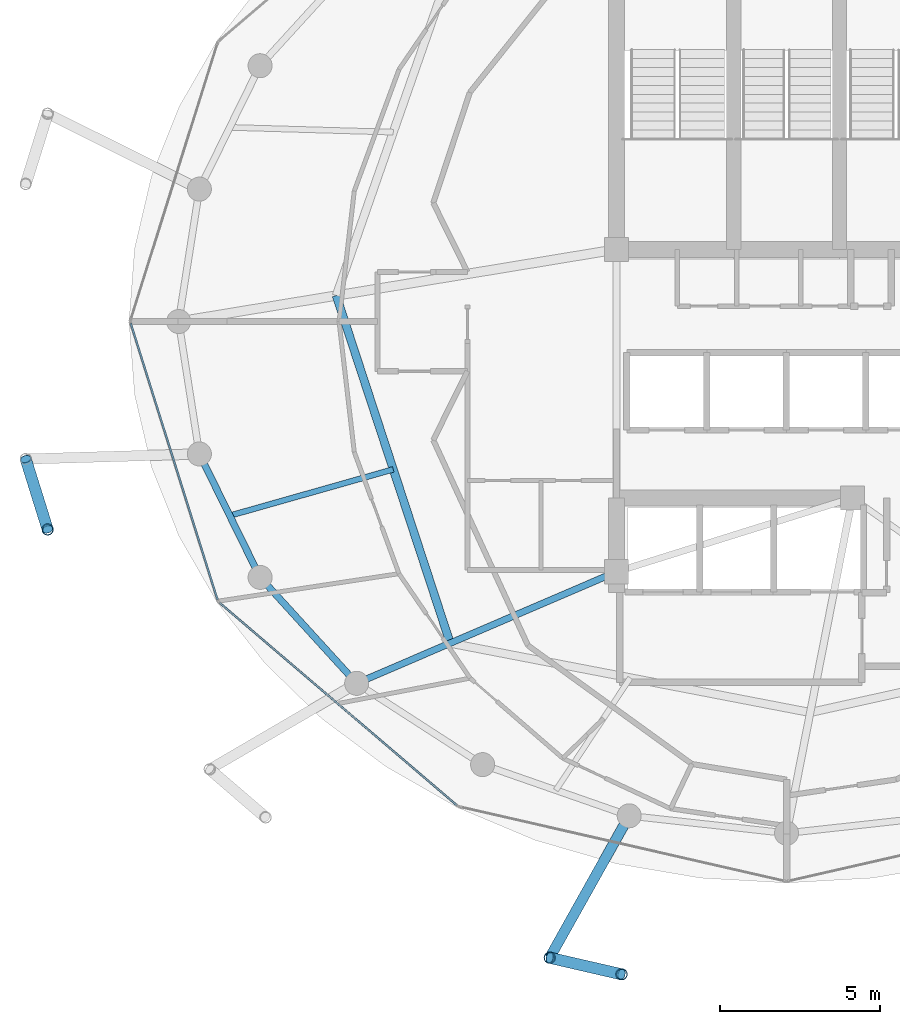
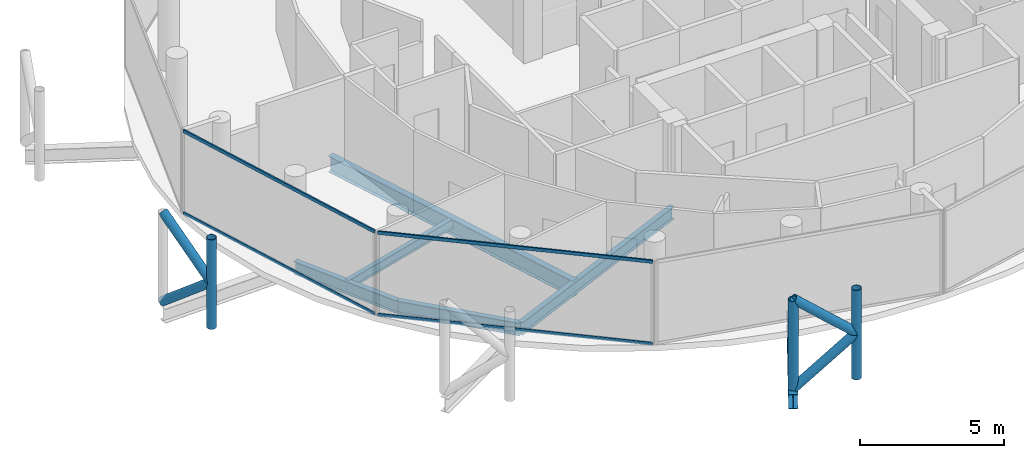
# One storey, part 3 of 24: 11 members, 6 beams, 2 elements without a shape of their own.
"""IFC4 building model written with IfcOpenShell, lengths in metres."""

from ifc_helpers import new_model, si_unit, direction, frame, origin, origin_2d, place, context, subcontext, project, spatial, hollow_rectangle, hollow_circle, i_section, extrude, material, layer, layer_set, material_profile, profile_set, type_object, element, aggregate, save


model = new_model("IFC4")

# Units and contexts
model_context = context("Model", 3, precision=1e-05, world=origin(), true_north=direction((0.0, 1.0)))
body_context = subcontext(model_context, "Body", "Model", "MODEL_VIEW")
ifc_project = project(units=[si_unit("LENGTHUNIT", "METRE"), si_unit("AREAUNIT", "SQUARE_METRE"), si_unit("VOLUMEUNIT", "CUBIC_METRE"), si_unit("PLANEANGLEUNIT", "RADIAN"), si_unit("MASSUNIT", "GRAM", prefix="KILO")], contexts=[model_context])

# Site, building, storey
site_placement = place(None, origin())
site = spatial("IfcSite", under=ifc_project, at=site_placement, CompositionType="ELEMENT")
building_placement = place(site_placement, origin())
building = spatial("IfcBuilding", under=site, at=building_placement, Name="Nuhasar Tower", CompositionType="ELEMENT")
storey_placement = place(building_placement, frame((0.0, 0.0, 293.60009765625)))
storey = spatial("IfcBuildingStorey", under=building, at=storey_placement, Name="L73", CompositionType="ELEMENT", Elevation=293.60009765625)

# Beams
ifc_material_1 = material(Name="Steel S355", Category="steel")
ifc_material_profile_1 = material_profile(ifc_material_1, i_section(OverallWidth=0.25390625, OverallDepth=0.68408203125, WebThickness=0.012451171875, FlangeThickness=0.018798828125, at=origin_2d()), Name="W27X94")
ifc_profile_set_1 = profile_set([ifc_material_profile_1], Name="Steel S355")
beam_type_1 = type_object("IfcBeamType", Name="BM-INRING-W27X94", PredefinedType="BEAM", material=ifc_profile_set_1)
beam_1_placement = place(storey_placement, frame((24.964111328125, 27.610107421875, -0.60205078125), z_axis=(0.311483801376, -0.950251462235, 0.0), x_axis=(0.950251462235, 0.311483801376, 0.0)))
element("IfcBeam", 1, at=beam_1_placement, inside=storey, type_object=beam_type_1, Name="L73 Inner Header Beam 08", PredefinedType="BEAM", context=body_context, shape_type="SweptSolid", body=[
    extrude(i_section(OverallWidth=0.25390625, OverallDepth=0.68408203125, WebThickness=0.012451171875, FlangeThickness=0.018798828125, at=origin_2d()), origin(), (0.0, 0.0, 1.0), 11.403564453125),
])
ifc_material_profile_2 = material_profile(ifc_material_1, i_section(OverallWidth=0.177978515625, OverallDepth=0.406005859375, WebThickness=0.0078125, FlangeThickness=0.0126953125, at=origin_2d()), Name="W16X40")
ifc_profile_set_2 = profile_set([ifc_material_profile_2], Name="Steel S355")
beam_type_2 = type_object("IfcBeamType", Name="BM-JST-W16X40", PredefinedType="JOIST", material=ifc_profile_set_2)
beam_2_placement = place(storey_placement, frame((26.739990234375, 22.19189453125, -0.463134765625), z_axis=(-0.962154316042, -0.272505178156, 0.0), x_axis=(0.272505178156, -0.962154316042, 0.0)))
element("IfcBeam", 2, at=beam_2_placement, inside=storey, type_object=beam_type_2, Name="L73 Secondary Floor Joist 08", PredefinedType="JOIST", context=body_context, shape_type="SweptSolid", body=[
    extrude(i_section(OverallWidth=0.177978515625, OverallDepth=0.406005859375, WebThickness=0.0078125, FlangeThickness=0.0126953125, at=origin_2d()), origin(), (0.0, 0.0, 1.0), 5.29833984375),
])
ifc_material_profile_3 = material_profile(ifc_material_1, i_section(OverallWidth=0.208984375, OverallDepth=0.528076171875, WebThickness=0.009521484375, FlangeThickness=0.01318359375, at=origin_2d()), Name="W21X55")
ifc_profile_set_3 = profile_set([ifc_material_profile_3], Name="Steel S355")
beam_type_3 = type_object("IfcBeamType", Name="BM-RAD-W21X55", PredefinedType="BEAM", material=ifc_profile_set_3)
beam_3_placement = place(storey_placement, frame((33.699951171875, 19.0, -0.524169921875), z_axis=(-0.91887119061, -0.394557644797, 0.0), x_axis=(0.394557644797, -0.91887119061, 0.0)))
element("IfcBeam", 3, at=beam_3_placement, inside=storey, type_object=beam_type_3, Name="L73 Radial Floor Girder 01", PredefinedType="BEAM", context=body_context, shape_type="SweptSolid", body=[
    extrude(i_section(OverallWidth=0.208984375, OverallDepth=0.528076171875, WebThickness=0.009521484375, FlangeThickness=0.01318359375, at=origin_2d()), origin(), (0.0, 0.0, 1.0), 8.81494140625),
])
ifc_material_profile_4 = material_profile(ifc_material_1, i_section(OverallWidth=0.2099609375, OverallDepth=0.537109375, WebThickness=0.010986328125, FlangeThickness=0.017333984375, at=origin_2d()), Name="W21X68")
ifc_profile_set_4 = profile_set([ifc_material_profile_4], Name="Steel S355")
beam_type_4 = type_object("IfcBeamType", Name="BM-RING-W21X68", PredefinedType="SPANDREL", material=ifc_profile_set_4)
beam_4_placement = place(storey_placement, frame((20.696044921875, 22.672119140625, -0.529052734375), z_axis=(0.441510561726, -0.897256052576, 0.0), x_axis=(0.897256052576, 0.441510561726, 0.0)))
element("IfcBeam", 4, at=beam_4_placement, inside=storey, type_object=beam_type_4, Name="L73 Perimeter Ring Spandrel 14", PredefinedType="SPANDREL", context=body_context, shape_type="SweptSolid", body=[
    extrude(i_section(OverallWidth=0.2099609375, OverallDepth=0.537109375, WebThickness=0.010986328125, FlangeThickness=0.017333984375, at=origin_2d()), origin(), (0.0, 0.0, 1.0), 4.28759765625),
])
beam_5_placement = place(storey_placement, frame((22.589111328125, 18.824951171875, -0.529052734375), z_axis=(0.673686302939, -0.739017432293, 0.0), x_axis=(0.739017432293, 0.673686302939, 0.0)))
element("IfcBeam", 5, at=beam_5_placement, inside=storey, type_object=beam_type_4, Name="L73 Perimeter Ring Spandrel 15", PredefinedType="SPANDREL", context=body_context, shape_type="SweptSolid", body=[
    extrude(i_section(OverallWidth=0.2099609375, OverallDepth=0.537109375, WebThickness=0.010986328125, FlangeThickness=0.017333984375, at=origin_2d()), origin(), (0.0, 0.0, 1.0), 4.469482421875),
])
ifc_material_profile_5 = material_profile(ifc_material_1, i_section(OverallWidth=0.323974609375, OverallDepth=0.611083984375, WebThickness=0.0126953125, FlangeThickness=0.01904296875, at=origin_2d()), Name="W24X104")
ifc_profile_set_5 = profile_set([ifc_material_profile_5], Name="Steel S355")
beam_type_5 = type_object("IfcBeamType", Name="BM-TIE-W24X104", PredefinedType="BEAM", material=ifc_profile_set_5)
beam_6_placement = place(storey_placement, frame((34.094970703125, 11.39306640625, -0.566162109375), z_axis=(-0.488667847762, -0.872469904675, 0.0), x_axis=(0.872469904675, -0.488667847762, 0.0)))
element("IfcBeam", 6, at=beam_6_placement, inside=storey, type_object=beam_type_5, Name="L73 Exoskeleton Node Tie Beam 09", PredefinedType="BEAM", context=body_context, shape_type="SweptSolid", body=[
    extrude(i_section(OverallWidth=0.323974609375, OverallDepth=0.611083984375, WebThickness=0.0126953125, FlangeThickness=0.01904296875, at=origin_2d()), origin(), (0.0, 0.0, 1.0), 5.072998046875),
])

# Curtain wall, members
ifc_material_2 = material(Name="Aluminium 6063-T6", Category="aluminium")
ifc_layer = layer(ifc_material_2, 0.18994140625)
ifc_layer_set = layer_set([ifc_layer], Name="Aluminium 6063-T6")
curtain_wall_type = type_object("IfcCurtainWallType", Name="CW-Z4-PEN", PredefinedType="NOTDEFINED", material=ifc_layer_set)
curtain_wall_1_placement = place(storey_placement, origin())
curtain_wall_1 = element("IfcCurtainWall", 7, at=curtain_wall_1_placement, inside=storey, type_object=curtain_wall_type, Name="L73 Unitised Curtain Wall 07", PredefinedType="NOTDEFINED")
ifc_material_profile_6 = material_profile(ifc_material_2, hollow_rectangle(XDim=0.06005859375, YDim=0.135009765625, WallThickness=0.00439453125, at=origin_2d()), Name="CWT-5")
ifc_profile_set_6 = profile_set([ifc_material_profile_6], Name="Aluminium 6063-T6")
member_type_1 = type_object("IfcMemberType", Name="CW-TRN-S5", PredefinedType="USERDEFINED", material=ifc_profile_set_6)
member_1_placement = place(storey_placement, frame((18.557861328125, 26.74267578125, 0.02978515625), z_axis=(0.29956014073, -0.954077419335, 0.0), x_axis=(0.954077419335, 0.29956014073, 0.0)))
member_1 = element("IfcMember", 8, at=member_1_placement, type_object=member_type_1, Name="CW-Z4 transom 1.1", ObjectType="TRANSOM", PredefinedType="USERDEFINED", context=body_context, shape_type="SweptSolid", body=[
    extrude(hollow_rectangle(XDim=0.06005859375, YDim=0.135009765625, WallThickness=0.00439453125, at=origin_2d()), origin(), (0.0, 0.0, 1.0), 9.0302734375),
])
member_2_placement = place(storey_placement, frame((18.557861328125, 26.74267578125, 3.510009765625), z_axis=(0.29956014073, -0.954077419335, 0.0), x_axis=(0.954077419335, 0.29956014073, 0.0)))
member_2 = element("IfcMember", 9, at=member_2_placement, type_object=member_type_1, Name="CW-Z4 transom 1.2", ObjectType="TRANSOM", PredefinedType="USERDEFINED", context=body_context, shape_type="SweptSolid", body=[
    extrude(hollow_rectangle(XDim=0.06005859375, YDim=0.135009765625, WallThickness=0.00439453125, at=origin_2d()), origin(), (0.0, 0.0, 1.0), 9.0302734375),
])
aggregate(curtain_wall_1, [member_1, member_2])

curtain_wall_2_placement = place(storey_placement, origin())
curtain_wall_2 = element("IfcCurtainWall", 10, at=curtain_wall_2_placement, inside=storey, type_object=curtain_wall_type, Name="L73 Unitised Curtain Wall 08", PredefinedType="NOTDEFINED")
member_3_placement = place(storey_placement, frame((21.32666015625, 18.031005859375, 0.02978515625), z_axis=(0.760672431431, -0.649135927261, 0.0), x_axis=(0.649135927261, 0.760672431431, 0.0)))
member_3 = element("IfcMember", 11, at=member_3_placement, type_object=member_type_1, Name="CW-Z4 transom 1.1", ObjectType="TRANSOM", PredefinedType="USERDEFINED", context=body_context, shape_type="SweptSolid", body=[
    extrude(hollow_rectangle(XDim=0.06005859375, YDim=0.135009765625, WallThickness=0.00439453125, at=origin_2d()), origin(), (0.0, 0.0, 1.0), 9.72509765625),
])
member_4_placement = place(storey_placement, frame((21.32666015625, 18.031005859375, 3.510009765625), z_axis=(0.760672431431, -0.649135927261, 0.0), x_axis=(0.649135927261, 0.760672431431, 0.0)))
member_4 = element("IfcMember", 12, at=member_4_placement, type_object=member_type_1, Name="CW-Z4 transom 1.2", ObjectType="TRANSOM", PredefinedType="USERDEFINED", context=body_context, shape_type="SweptSolid", body=[
    extrude(hollow_rectangle(XDim=0.06005859375, YDim=0.135009765625, WallThickness=0.00439453125, at=origin_2d()), origin(), (0.0, 0.0, 1.0), 9.72509765625),
])
aggregate(curtain_wall_2, [member_3, member_4])

# Members
ifc_material_3 = material(Name="Steel S460", Category="steel")
ifc_material_profile_7 = material_profile(ifc_material_3, hollow_circle(Radius=0.177734375, WallThickness=0.015869140625, at=origin_2d()), Name="HSS355.6X15.9")
ifc_profile_set_7 = profile_set([ifc_material_profile_7], Name="Steel S460")
member_type_2 = type_object("IfcMemberType", Name="EXO-BRONZE-356", PredefinedType="BRACE", material=ifc_profile_set_7)
for number, where, z_axis, x_axis, name in (
    (13, (15.967041015625, 20.319091796875, 0.0), (0.0, 0.0, 1.0), (1.0, 0.0, 0.0), "L73 Exoskeleton Chord Column EC-07B"),
    (14, (31.615966796875, 6.967041015625, 0.0), (0.0, 0.0, 1.0), (1.0, 0.0, 0.0), "L73 Exoskeleton Chord Column EC-09A"),
    (15, (33.85693359375, 6.450927734375, 0.0), (0.0, 0.0, 1.0), (1.0, 0.0, 0.0), "L73 Exoskeleton Chord Column EC-09B"),
):
    element("IfcMember", number, at=place(storey_placement, frame(where, z_axis=z_axis, x_axis=x_axis)), inside=storey, type_object=member_type_2, Name=name, PredefinedType="BRACE", context=body_context, shape_type="SweptSolid", body=[
        extrude(hollow_circle(Radius=0.177734375, WallThickness=0.015869140625, at=origin_2d()), origin(), (0.0, 0.0, 1.0), 3.7998046875),
    ])
for number, where, z_axis, x_axis, name in (
    (16, (15.281982421875, 22.513916015625, 0.0), (0.229681361446, -0.735864376122, 0.636985158507), (0.954581948223, 0.297948492404, 0.0), "L73 Bronze Diagrid Brace W1-07"),
    (17, (15.967041015625, 20.319091796875, 1.89990234375), (-0.229681361446, 0.735864376122, 0.636985158507), (-0.954581948223, -0.297948492404, 0.0), "L73 Bronze Diagrid Brace W2-07"),
):
    element("IfcMember", number, at=place(storey_placement, frame(where, z_axis=z_axis, x_axis=x_axis)), inside=storey, type_object=member_type_2, Name=name, PredefinedType="BRACE", context=body_context, shape_type="SweptSolid", body=[
        extrude(hollow_circle(Radius=0.177734375, WallThickness=0.015869140625, at=origin_2d()), origin(), (0.0, 0.0, 1.0), 2.982666015625),
    ])
for number, where, z_axis, x_axis, name in (
    (18, (31.615966796875, 6.967041015625, 0.0), (0.751260978137, -0.173021648086, 0.636922642103), (0.224433035437, 0.97448951385, 0.0), "L73 Bronze Diagrid Brace W1-09"),
    (19, (33.85693359375, 6.450927734375, 1.89990234375), (-0.751260978137, 0.173021648086, 0.636922642103), (-0.224433035437, -0.97448951385, 0.0), "L73 Bronze Diagrid Brace W2-09"),
):
    element("IfcMember", number, at=place(storey_placement, frame(where, z_axis=z_axis, x_axis=x_axis)), inside=storey, type_object=member_type_2, Name=name, PredefinedType="BRACE", context=body_context, shape_type="SweptSolid", body=[
        extrude(hollow_circle(Radius=0.177734375, WallThickness=0.015869140625, at=origin_2d()), origin(), (0.0, 0.0, 1.0), 2.98291015625),
    ])

save(model, "model.ifc")
